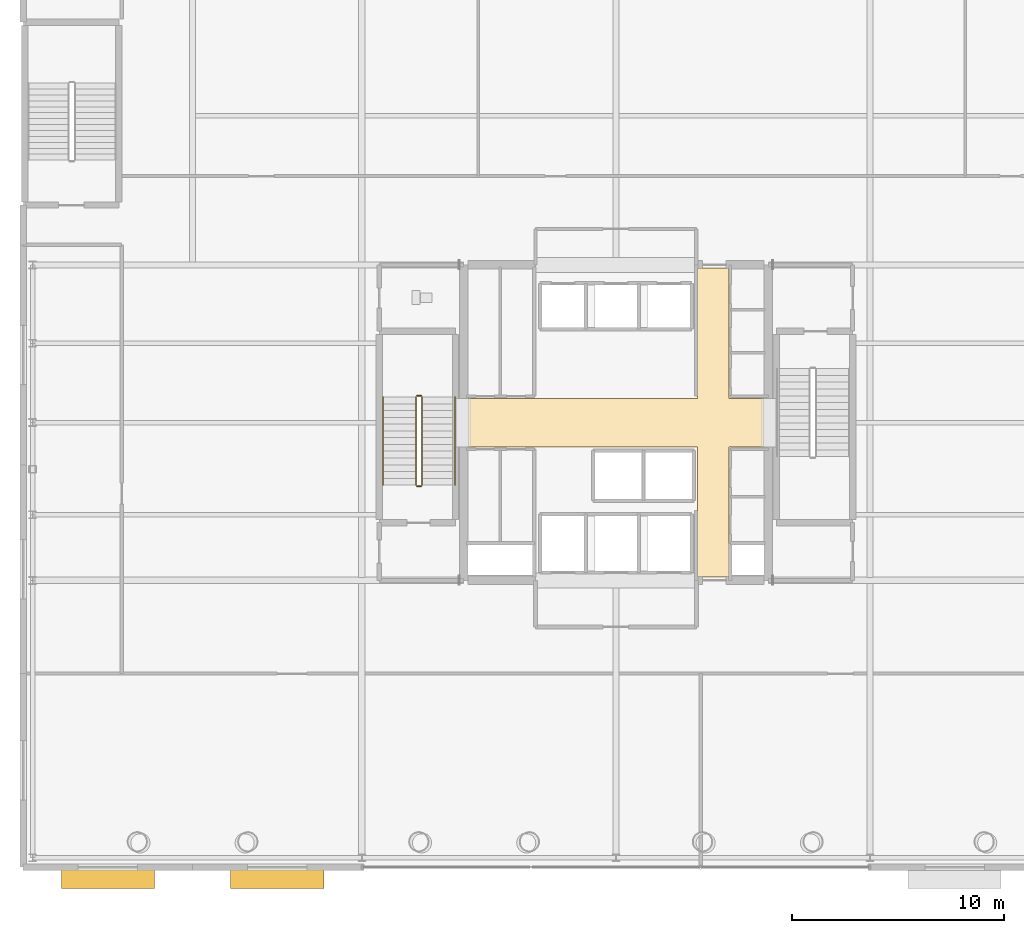
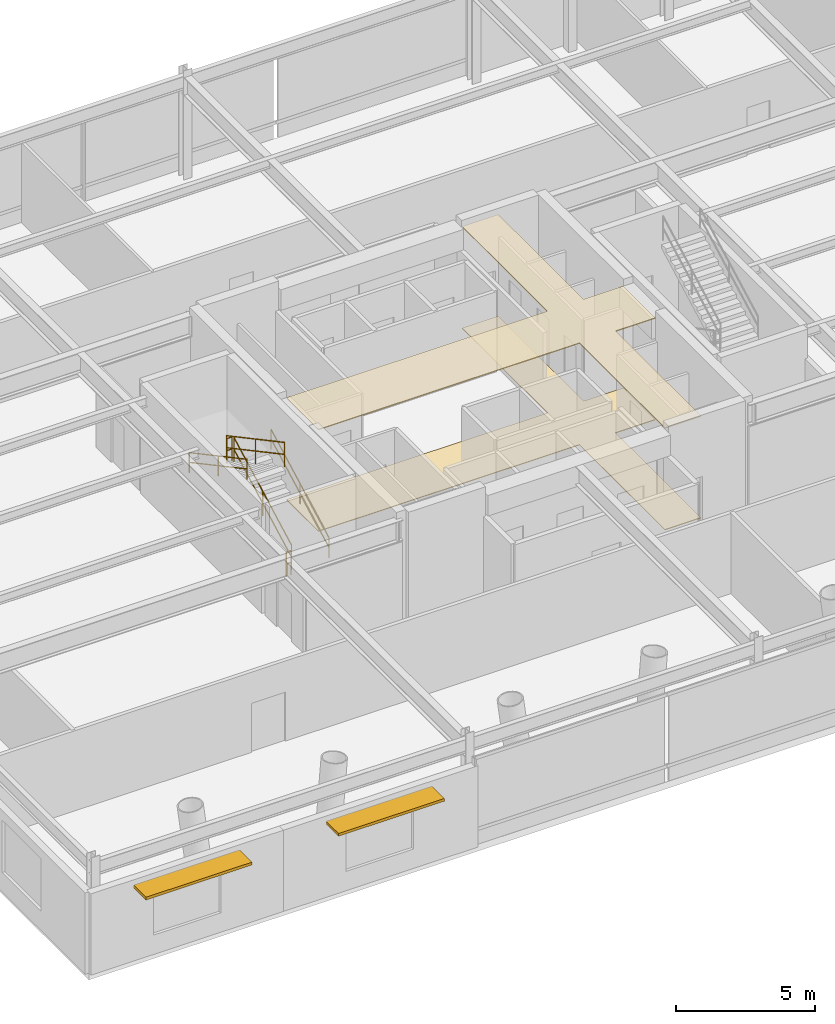
# One storey, part 19 of 22: 6 railings, 2 coverings, 2 shading devices.
"""IFC4 building model written with IfcOpenShell, lengths in metres."""

from ifc_helpers import new_model, si_unit, direction, frame, origin, origin_2d, place, context, subcontext, project, spatial, polyline, rectangle, circle, outline, extrude, material, layer, layer_set, type_object, element, save


model = new_model("IFC4")

# Units and contexts
model_context = context("Model", 3, precision=1e-05, world=origin(), true_north=direction((0.0, 1.0)))
body_context = subcontext(model_context, "Body", "Model", "MODEL_VIEW")
ifc_project = project(units=[si_unit("LENGTHUNIT", "METRE"), si_unit("AREAUNIT", "SQUARE_METRE"), si_unit("VOLUMEUNIT", "CUBIC_METRE"), si_unit("PLANEANGLEUNIT", "RADIAN"), si_unit("MASSUNIT", "GRAM", prefix="KILO")], contexts=[model_context])

# Site, building, storey
site_placement = place(None, origin())
site = spatial("IfcSite", under=ifc_project, at=site_placement, CompositionType="ELEMENT")
building_placement = place(site_placement, origin())
building = spatial("IfcBuilding", under=site, at=building_placement, Name="Veldorina Hangang Commons", CompositionType="ELEMENT")
storey_placement = place(building_placement, frame((0.0, 0.0, 14.800048828125)))
storey = spatial("IfcBuildingStorey", under=building, at=storey_placement, Name="L03", CompositionType="ELEMENT", Elevation=14.800048828125)

# Coverings
ifc_material_1 = material(Name="Mineral Fibre Acoustic Tile", Category="gypsum")
ifc_layer_1 = layer(ifc_material_1, 0.0400390625)
ifc_layer_set_1 = layer_set([ifc_layer_1], Name="Mineral Fibre Acoustic Tile")
covering_type_1 = type_object("IfcCoveringType", Name="COV-CEIL-AC60", PredefinedType="CEILING", material=ifc_layer_set_1)
covering_1_placement = place(storey_placement, frame((0.0, 0.0, 4.4599609375)))
element("IfcCovering", 1, at=covering_1_placement, inside=storey, type_object=covering_type_1, Name="L03 lobby suspended acoustic ceiling", PredefinedType="CEILING", context=body_context, shape_type="SweptSolid", body=[
    extrude(outline(polyline([(25.0, 22.85009765625), (35.85009765625, 22.85009765625), (35.85009765625, 16.699951171875), (37.35009765625, 16.699951171875), (37.35009765625, 22.85009765625), (39.0, 22.85009765625), (39.0, 25.14990234375), (37.35009765625, 25.14990234375), (37.35009765625, 31.300048828125), (35.85009765625, 31.300048828125), (35.85009765625, 25.14990234375), (25.0, 25.14990234375), (25.0, 22.85009765625)])), origin(), (0.0, 0.0, 1.0), 0.0400390625),
])
ifc_material_2 = material(Name="Stone Venetian Terrazzo", Category="masonry")
ifc_layer_2 = layer(ifc_material_2, 0.030029296875)
ifc_layer_set_2 = layer_set([ifc_layer_2], Name="Stone Venetian Terrazzo")
covering_type_2 = type_object("IfcCoveringType", Name="COV-FLR-TERZ", PredefinedType="FLOORING", material=ifc_layer_set_2)
covering_2_placement = place(storey_placement, origin())
element("IfcCovering", 2, at=covering_2_placement, inside=storey, type_object=covering_type_2, Name="L03 lobby terrazzo floor finish", PredefinedType="FLOORING", context=body_context, shape_type="SweptSolid", body=[
    extrude(outline(polyline([(25.0, 22.85009765625), (35.85009765625, 22.85009765625), (35.85009765625, 16.699951171875), (37.35009765625, 16.699951171875), (37.35009765625, 22.85009765625), (39.0, 22.85009765625), (39.0, 25.14990234375), (37.35009765625, 25.14990234375), (37.35009765625, 31.300048828125), (35.85009765625, 31.300048828125), (35.85009765625, 25.14990234375), (25.0, 25.14990234375), (25.0, 22.85009765625)])), origin(), (0.0, 0.0, 1.0), 0.030029296875),
])

# Railings
ifc_material_3 = material(Name="Steel Painted Balustrade", Category="steel")
railing_type_1 = type_object("IfcRailingType", Name="RL-GRD-STAIR", PredefinedType="GUARDRAIL", material=ifc_material_3)
railing_1_placement = place(storey_placement, frame((22.85009765625, 21.050048828125, 0.17138671875)))
element("IfcRailing", 3, at=railing_1_placement, inside=storey, type_object=railing_type_1, Name="L03 ST-1 stair guard 1", PredefinedType="GUARDRAIL", context=body_context, shape_type="SweptSolid", body=[
    extrude(circle(Radius=0.02392578125, at=origin_2d()), frame((0.0, 0.0, 1.076171875), z_axis=(0.0, 0.881480739103, 0.472219976908), x_axis=(-1.0, 0.0, 0.0)), (0.0, 0.0, 1.0), 4.71923828125),
    extrude(circle(Radius=0.02392578125, at=origin_2d()), frame((0.0, 0.0, 0.550048828125), z_axis=(0.0, 0.881480739103, 0.472219976908), x_axis=(-1.0, 0.0, 0.0)), (0.0, 0.0, 1.0), 4.71923828125),
    extrude(circle(Radius=0.02099609375, at=origin_2d()), origin(), (0.0, 0.0, 1.0), 1.052001953125),
    extrude(circle(Radius=0.02099609375, at=origin_2d()), frame((0.0, 2.080078125, 1.1142578125)), (0.0, 0.0, 1.0), 1.052001953125),
    extrude(circle(Radius=0.02099609375, at=origin_2d()), frame((0.0, 4.159912109375, 2.228515625)), (0.0, 0.0, 1.0), 1.052001953125),
])
railing_2_placement = place(storey_placement, frame((22.800048828125, 25.260009765625, 2.39990234375)))
element("IfcRailing", 4, at=railing_2_placement, inside=storey, type_object=railing_type_1, Name="L03 ST-1 stair guard 2", PredefinedType="GUARDRAIL", context=body_context, shape_type="SweptSolid", body=[
    extrude(circle(Radius=0.02392578125, at=origin_2d()), frame((0.0, 0.0, 1.076171875), z_axis=(-1.0, 0.0, 0.0), x_axis=(0.0, -1.0, 0.0)), (0.0, 0.0, 1.0), 0.199951171875),
    extrude(circle(Radius=0.02392578125, at=origin_2d()), frame((0.0, 0.0, 0.550048828125), z_axis=(-1.0, 0.0, 0.0), x_axis=(0.0, -1.0, 0.0)), (0.0, 0.0, 1.0), 0.199951171875),
    extrude(circle(Radius=0.02099609375, at=origin_2d()), origin(), (0.0, 0.0, 1.0), 1.052001953125),
    extrude(circle(Radius=0.02099609375, at=origin_2d()), frame((-0.199951171875, 0.0, 0.0)), (0.0, 0.0, 1.0), 1.052001953125),
])
railing_3_placement = place(storey_placement, frame((22.550048828125, 25.2099609375, 2.5712890625)))
element("IfcRailing", 5, at=railing_3_placement, inside=storey, type_object=railing_type_1, Name="L03 ST-1 stair guard 3", PredefinedType="GUARDRAIL", context=body_context, shape_type="SweptSolid", body=[
    extrude(circle(Radius=0.02392578125, at=origin_2d()), frame((0.0, 0.0, 1.076171875), z_axis=(0.0, -0.881459204653, 0.472260172503), x_axis=(1.0, 0.0, 0.0)), (0.0, 0.0, 1.0), 4.71923828125),
    extrude(circle(Radius=0.02392578125, at=origin_2d()), frame((0.0, 0.0, 0.550048828125), z_axis=(0.0, -0.881459204653, 0.472260172503), x_axis=(1.0, 0.0, 0.0)), (0.0, 0.0, 1.0), 4.71923828125),
    extrude(circle(Radius=0.02099609375, at=origin_2d()), origin(), (0.0, 0.0, 1.0), 1.052001953125),
    extrude(circle(Radius=0.02099609375, at=origin_2d()), frame((0.0, -2.080078125, 1.1142578125)), (0.0, 0.0, 1.0), 1.052001953125),
    extrude(circle(Radius=0.02099609375, at=origin_2d()), frame((0.0, -4.159912109375, 2.228759765625)), (0.0, 0.0, 1.0), 1.052001953125),
])
railing_4_placement = place(storey_placement, frame((22.800048828125, 21.0, 0.0)))
element("IfcRailing", 6, at=railing_4_placement, inside=storey, type_object=railing_type_1, Name="L03 ST-1 stair guard 4", PredefinedType="GUARDRAIL", context=body_context, shape_type="SweptSolid", body=[
    extrude(circle(Radius=0.02392578125, at=origin_2d()), frame((0.0, 0.0, 1.076171875), z_axis=(-1.0, 0.0, 0.0), x_axis=(0.0, -1.0, 0.0)), (0.0, 0.0, 1.0), 0.199951171875),
    extrude(circle(Radius=0.02392578125, at=origin_2d()), frame((0.0, 0.0, 0.550048828125), z_axis=(-1.0, 0.0, 0.0), x_axis=(0.0, -1.0, 0.0)), (0.0, 0.0, 1.0), 0.199951171875),
    extrude(circle(Radius=0.02099609375, at=origin_2d()), origin(), (0.0, 0.0, 1.0), 1.052001953125),
    extrude(circle(Radius=0.02099609375, at=origin_2d()), frame((-0.199951171875, 0.0, 0.0)), (0.0, 0.0, 1.0), 1.052001953125),
])
ifc_material_4 = material(Name="Stainless Steel Brushed 316", Category="steel")
railing_type_2 = type_object("IfcRailingType", Name="RL-HND-STAIR", PredefinedType="HANDRAIL", material=ifc_material_4)
railing_5_placement = place(storey_placement, frame((24.39990234375, 21.050048828125, 0.17138671875)))
element("IfcRailing", 7, at=railing_5_placement, inside=storey, type_object=railing_type_2, Name="L03 ST-1 stair handrail 1", PredefinedType="HANDRAIL", context=body_context, shape_type="SweptSolid", body=[
    extrude(circle(Radius=0.02392578125, at=origin_2d()), frame((0.0, 0.0, 0.8759765625), z_axis=(0.0, 0.881480739103, 0.472219976908), x_axis=(-1.0, 0.0, 0.0)), (0.0, 0.0, 1.0), 4.71923828125),
    extrude(circle(Radius=0.02392578125, at=origin_2d()), frame((0.0, 0.0, 0.449951171875), z_axis=(0.0, 0.881480739103, 0.472219976908), x_axis=(-1.0, 0.0, 0.0)), (0.0, 0.0, 1.0), 4.71923828125),
    extrude(circle(Radius=0.02099609375, at=origin_2d()), origin(), (0.0, 0.0, 1.0), 0.851806640625),
    extrude(circle(Radius=0.02099609375, at=origin_2d()), frame((0.0, 2.080078125, 1.1142578125)), (0.0, 0.0, 1.0), 0.851806640625),
    extrude(circle(Radius=0.02099609375, at=origin_2d()), frame((0.0, 4.159912109375, 2.228515625)), (0.0, 0.0, 1.0), 0.851806640625),
])
railing_6_placement = place(storey_placement, frame((21.0, 25.2099609375, 2.5712890625)))
element("IfcRailing", 8, at=railing_6_placement, inside=storey, type_object=railing_type_2, Name="L03 ST-1 stair handrail 2", PredefinedType="HANDRAIL", context=body_context, shape_type="SweptSolid", body=[
    extrude(circle(Radius=0.02392578125, at=origin_2d()), frame((0.0, 0.0, 0.8759765625), z_axis=(0.0, -0.881459204653, 0.472260172503), x_axis=(1.0, 0.0, 0.0)), (0.0, 0.0, 1.0), 4.71923828125),
    extrude(circle(Radius=0.02392578125, at=origin_2d()), frame((0.0, 0.0, 0.449951171875), z_axis=(0.0, -0.881459204653, 0.472260172503), x_axis=(1.0, 0.0, 0.0)), (0.0, 0.0, 1.0), 4.71923828125),
    extrude(circle(Radius=0.02099609375, at=origin_2d()), origin(), (0.0, 0.0, 1.0), 0.851806640625),
    extrude(circle(Radius=0.02099609375, at=origin_2d()), frame((0.0, -2.080078125, 1.1142578125)), (0.0, 0.0, 1.0), 0.851806640625),
    extrude(circle(Radius=0.02099609375, at=origin_2d()), frame((0.0, -4.159912109375, 2.228759765625)), (0.0, 0.0, 1.0), 0.851806640625),
])

# Shading devices
ifc_material_5 = material(Name="Stone Roman Travertine", Category="masonry")
ifc_layer_3 = layer(ifc_material_5, 0.1201171875)
ifc_layer_set_3 = layer_set([ifc_layer_3], Name="Stone Roman Travertine")
shading_device_type = type_object("IfcShadingDeviceType", Name="SHD-POD-4000", PredefinedType="USERDEFINED", material=ifc_layer_set_3)
for number, where, z_axis, x_axis, name in (
    (9, (8.0, 2.449951171875, 3.18994140625), (0.0, 0.0, 1.0), (1.0, 0.0, 0.0), "L03 south travertine sunshade S1"),
    (10, (16.0, 2.449951171875, 3.18994140625), (0.0, 0.0, 1.0), (1.0, 0.0, 0.0), "L03 south travertine sunshade S2"),
):
    element("IfcShadingDevice", number, at=place(storey_placement, frame(where, z_axis=z_axis, x_axis=x_axis)), inside=storey, type_object=shading_device_type, Name=name, ObjectType="SUNSHADE", PredefinedType="USERDEFINED", context=body_context, shape_type="SweptSolid", body=[
        extrude(rectangle(XDim=4.39990234375, YDim=0.89990234375, at=origin_2d()), origin(), (0.0, 0.0, 1.0), 0.1201171875),
    ])

save(model, "model.ifc")
